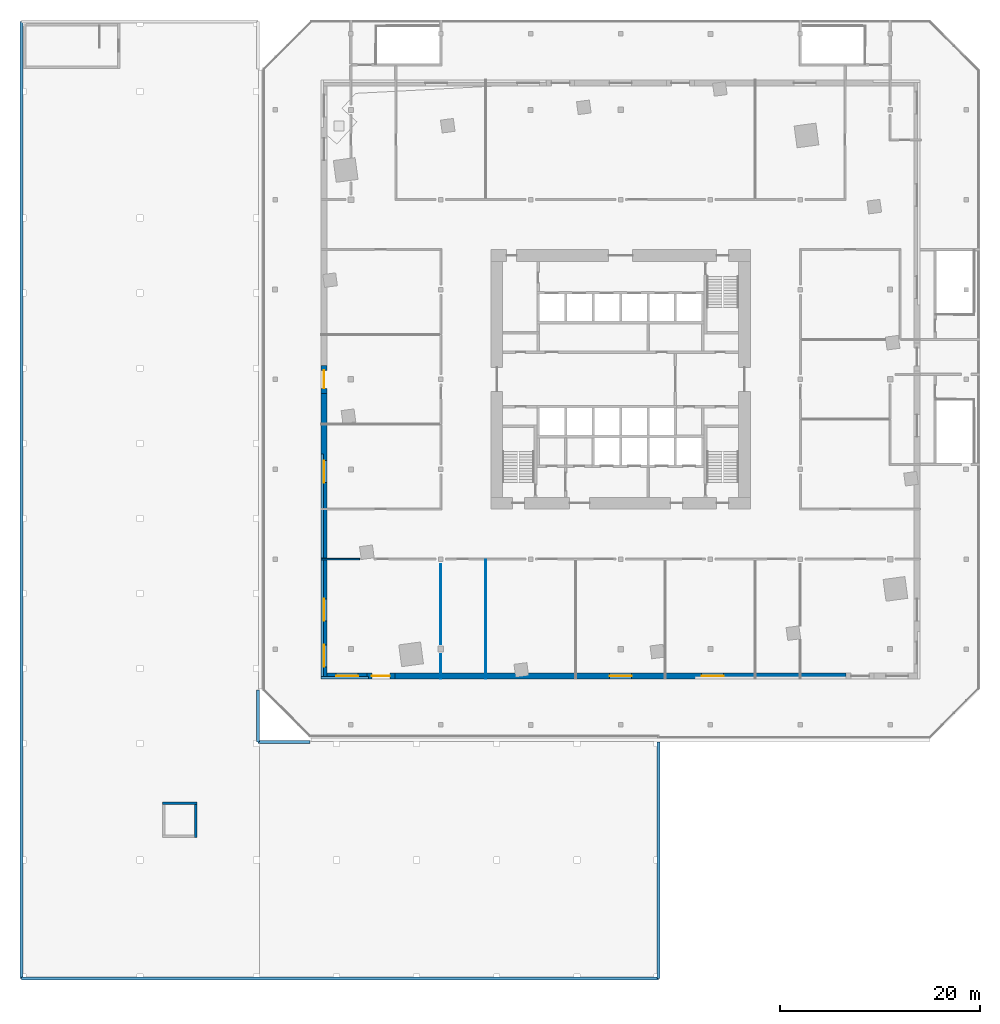
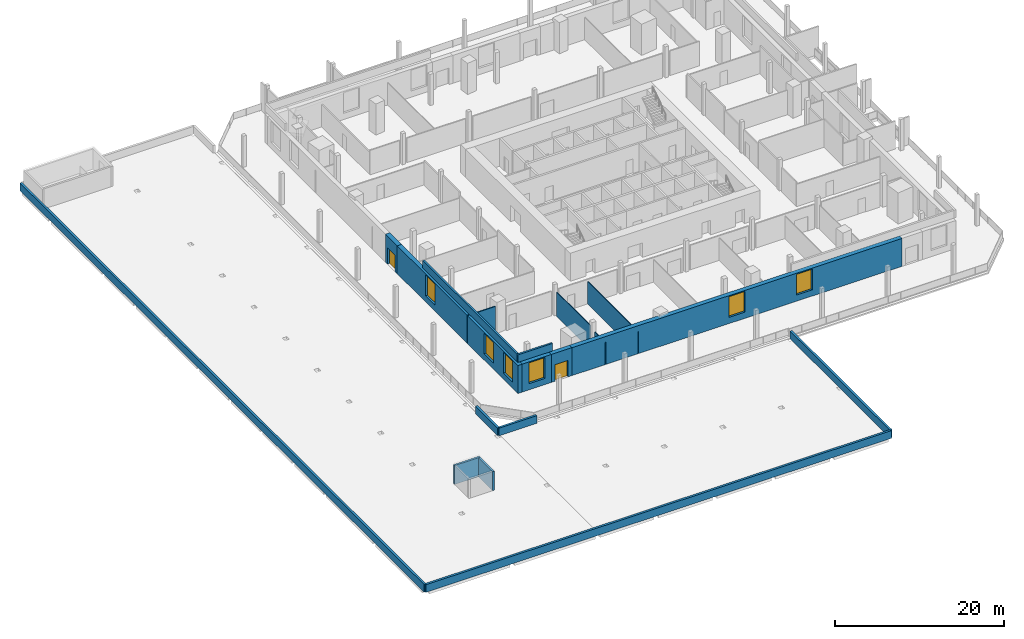
# One storey, part 2 of 12: 18 walls, 6 windows, 2 doors, 8 openings.
"""IFC4 building model written with IfcOpenShell, lengths in metres."""

from ifc_helpers import new_model, si_unit, direction, frame, frame_2d, origin, place, context, subcontext, project, spatial, rectangle, extrude, material, layer, layer_set, type_object, element, fill, save


model = new_model("IFC4")

# Units and contexts
model_context = context("Model", 3, precision=1e-05, world=origin(), true_north=direction((0.0, 1.0)))
body_context = subcontext(model_context, "Body", "Model", "MODEL_VIEW")
ifc_project = project(units=[si_unit("LENGTHUNIT", "METRE"), si_unit("AREAUNIT", "SQUARE_METRE"), si_unit("VOLUMEUNIT", "CUBIC_METRE"), si_unit("PLANEANGLEUNIT", "RADIAN"), si_unit("MASSUNIT", "GRAM", prefix="KILO")], contexts=[model_context])

# Site, building, storey
site_placement = place(None, origin())
site = spatial("IfcSite", under=ifc_project, at=site_placement, CompositionType="ELEMENT")
building_placement = place(site_placement, origin())
building = spatial("IfcBuilding", under=site, at=building_placement, Name="Dilmun Exchange Tower", CompositionType="ELEMENT")
storey_placement = place(building_placement, frame((0.0, 0.0, 18.0)))
storey = spatial("IfcBuildingStorey", under=building, at=storey_placement, Name="L04", CompositionType="ELEMENT", Elevation=18.0)

# Walls
ifc_material_1 = material(Name="Fire partition EI 60 150 gypsum")
ifc_layer_1 = layer(ifc_material_1, 0.14990234375)
ifc_layer_set_1 = layer_set([ifc_layer_1], Name="Fire partition EI 60 150 gypsum")
wall_type_1 = type_object("IfcWallType", Name="Fire partition EI 60 150 gypsum", PredefinedType="PARTITIONING", material=ifc_layer_set_1)
wall_1_placement = place(storey_placement, frame((-30.0, -18.0, 0.0), z_axis=(0.0, 0.0, 1.0), x_axis=(1.0, 0.0, 0.0)))
element("IfcWall", 1, at=wall_1_placement, inside=storey, type_object=wall_type_1, Name="L04 partition", PredefinedType="PARTITIONING", context=body_context, shape_type="SweptSolid", body=[
    extrude(rectangle(XDim=3.856689453125, YDim=0.14990234375, at=frame_2d((1.92822265625, 0.0))), origin(), (0.0, 0.0, 1.0), 4.050048828125),
])
ifc_material_2 = material(Name="Partition 100 gypsum")
ifc_layer_2 = layer(ifc_material_2, 0.10009765625)
ifc_layer_set_2 = layer_set([ifc_layer_2], Name="Partition 100 gypsum")
wall_type_2 = type_object("IfcWallType", Name="Partition 100 gypsum", PredefinedType="PARTITIONING", material=ifc_layer_set_2)
wall_2_placement = place(storey_placement, frame((-18.0, -30.0, 0.0), z_axis=(0.0, 0.0, 1.0), x_axis=(0.0, 1.0, 0.0)))
element("IfcWall", 2, at=wall_2_placement, inside=storey, type_object=wall_type_2, Name="L04 partition", PredefinedType="PARTITIONING", context=body_context, shape_type="SweptSolid", body=[
    extrude(rectangle(XDim=2.5, YDim=0.10009765625, at=frame_2d((1.25, 0.0))), origin(), (0.0, 0.0, 1.0), 3.22998046875),
])
wall_3_placement = place(storey_placement, frame((-18.0, -26.5, 0.0), z_axis=(0.0, 0.0, 1.0), x_axis=(0.0, 1.0, 0.0)))
element("IfcWall", 3, at=wall_3_placement, inside=storey, type_object=wall_type_2, Name="L04 partition", PredefinedType="PARTITIONING", context=body_context, shape_type="SweptSolid", body=[
    extrude(rectangle(XDim=8.0, YDim=0.10009765625, at=frame_2d((4.0, 0.0))), origin(), (0.0, 0.0, 1.0), 3.530029296875),
])
wall_4_placement = place(storey_placement, frame((-13.5, -30.0, 0.0), z_axis=(0.0, 0.0, 1.0), x_axis=(0.0, 1.0, 0.0)))
element("IfcWall", 4, at=wall_4_placement, inside=storey, type_object=wall_type_2, Name="L04 partition", PredefinedType="PARTITIONING", context=body_context, shape_type="SweptSolid", body=[
    extrude(rectangle(XDim=11.925048828125, YDim=0.10009765625, at=frame_2d((5.96240234375, 0.0))), origin(), (0.0, 0.0, 1.0), 3.22998046875),
])

# Wall, opening, door
ifc_material_3 = material(Name="Precast concrete C50/60", Category="concrete")
ifc_layer_3 = layer(ifc_material_3, 0.60009765625)
ifc_layer_set_3 = layer_set([ifc_layer_3], Name="Precast concrete C50/60")
wall_type_3 = type_object("IfcWallType", Name="Precast stone-clad wall 600", PredefinedType="STANDARD", material=ifc_layer_set_3)
wall_5_placement = place(storey_placement, frame((-29.699951171875, -1.39990234375, 0.0), z_axis=(0.0, 0.0, 1.0), x_axis=(0.0, 1.0, 0.0)))
wall_5 = element("IfcWall", 5, at=wall_5_placement, inside=storey, type_object=wall_type_3, Name="Facade wall L04-02-1", PredefinedType="STANDARD", context=body_context, shape_type="SweptSolid", body=[
    extrude(rectangle(XDim=2.7998046875, YDim=0.60009765625, at=frame_2d((1.39990234375, 0.0))), origin(), (0.0, 0.0, 1.0), 4.050048828125),
])
opening_1_placement = place(wall_5_placement, frame((0.5, 0.0, 0.0)))
opening_1 = element("IfcOpeningElement", 6, at=opening_1_placement, cuts=wall_5, Name="Opening TD1", PredefinedType="OPENING", context=body_context, shape_type="SweptSolid", body=[
    extrude(rectangle(XDim=1.800048828125, YDim=2.39990234375, at=frame_2d((0.89990234375, 1.199951171875))), frame((0.0, 0.31005859375, 0.0), z_axis=(0.0, -1.0, 0.0), x_axis=(1.0, 0.0, 0.0)), (0.0, 0.0, 1.0), 0.6201171875),
])
ifc_material_4 = material(Name="Clear low-emissivity glass in aluminium frame", Category="aluminium")
door_type = type_object("IfcDoorType", Name="Glazed terrace door pair 1800 x 2400", OperationType="DOUBLE_DOOR_SINGLE_SWING", PredefinedType="DOOR", material=ifc_material_4)
door_1_placement = place(opening_1_placement, origin())
door_1 = element("IfcDoor", 7, at=door_1_placement, inside=storey, type_object=door_type, Name="Door X-T6 terrace", OperationType="DOUBLE_DOOR_SINGLE_SWING", OverallHeight=2.39990234375, OverallWidth=1.800048828125, PredefinedType="DOOR", context=body_context, shape_type="SweptSolid", body=[
    extrude(rectangle(XDim=1.800048828125, YDim=2.39990234375, at=frame_2d((0.89990234375, 1.199951171875))), frame((0.0, 0.02490234375, 0.0), z_axis=(0.0, -1.0, 0.0), x_axis=(1.0, 0.0, 0.0)), (0.0, 0.0, 1.0), 0.050048828125),
])
fill(opening_1, door_1)

# Wall, openings, windows
wall_6_placement = place(storey_placement, frame((-29.699951171875, -1.39990234375, 0.0), z_axis=(0.0, 0.0, 1.0), x_axis=(0.0, -1.0, 0.0)))
wall_6 = element("IfcWall", 8, at=wall_6_placement, inside=storey, type_object=wall_type_3, Name="Facade wall L04-02-2", PredefinedType="STANDARD", context=body_context, shape_type="SweptSolid", body=[
    extrude(rectangle(XDim=28.60009765625, YDim=0.60009765625, at=frame_2d((14.300048828125, 0.0))), origin(), (0.0, 0.0, 1.0), 4.050048828125),
])
opening_2_placement = place(wall_6_placement, frame((6.730712890625, 0.0, 0.89990234375)))
opening_2 = element("IfcOpeningElement", 9, at=opening_2_placement, cuts=wall_6, Name="Opening W220-300", PredefinedType="OPENING", context=body_context, shape_type="SweptSolid", body=[
    extrude(rectangle(XDim=2.199951171875, YDim=3.0, at=frame_2d((1.10009765625, 1.5))), frame((0.0, 0.31005859375, 0.0), z_axis=(0.0, -1.0, 0.0), x_axis=(1.0, 0.0, 0.0)), (0.0, 0.0, 1.0), 0.6201171875),
])
opening_3_placement = place(wall_6_placement, frame((20.576904296875, 0.0, 0.89990234375)))
opening_3 = element("IfcOpeningElement", 10, at=opening_3_placement, cuts=wall_6, Name="Opening W220-300", PredefinedType="OPENING", context=body_context, shape_type="SweptSolid", body=[
    extrude(rectangle(XDim=2.199951171875, YDim=3.0, at=frame_2d((1.10009765625, 1.5))), frame((0.0, 0.31005859375, 0.0), z_axis=(0.0, -1.0, 0.0), x_axis=(1.0, 0.0, 0.0)), (0.0, 0.0, 1.0), 0.6201171875),
])
opening_4_placement = place(wall_6_placement, frame((25.1923828125, 0.0, 0.89990234375)))
opening_4 = element("IfcOpeningElement", 11, at=opening_4_placement, cuts=wall_6, Name="Opening W220-300", PredefinedType="OPENING", context=body_context, shape_type="SweptSolid", body=[
    extrude(rectangle(XDim=2.199951171875, YDim=3.0, at=frame_2d((1.10009765625, 1.5))), frame((0.0, 0.31005859375, 0.0), z_axis=(0.0, -1.0, 0.0), x_axis=(1.0, 0.0, 0.0)), (0.0, 0.0, 1.0), 0.6201171875),
])
window_type = type_object("IfcWindowType", Name="Punched window 2200 x 3000", PartitioningType="DOUBLE_PANEL_VERTICAL", PredefinedType="WINDOW", material=ifc_material_4)
window_1_placement = place(opening_2_placement, origin())
window_1 = element("IfcWindow", 12, at=window_1_placement, inside=storey, type_object=window_type, Name="Window 3.9", OverallHeight=3.0, OverallWidth=2.199951171875, PartitioningType="SINGLE_PANEL", PredefinedType="WINDOW", context=body_context, shape_type="SweptSolid", body=[
    extrude(rectangle(XDim=2.199951171875, YDim=3.0, at=frame_2d((1.10009765625, 1.5))), frame((0.0, 0.030029296875, 0.0), z_axis=(0.0, -1.0, 0.0), x_axis=(1.0, 0.0, 0.0)), (0.0, 0.0, 1.0), 0.06005859375),
])
fill(opening_2, window_1)
window_2_placement = place(opening_3_placement, origin())
window_2 = element("IfcWindow", 13, at=window_2_placement, inside=storey, type_object=window_type, Name="Window 3.12", OverallHeight=3.0, OverallWidth=2.199951171875, PartitioningType="SINGLE_PANEL", PredefinedType="WINDOW", context=body_context, shape_type="SweptSolid", body=[
    extrude(rectangle(XDim=2.199951171875, YDim=3.0, at=frame_2d((1.10009765625, 1.5))), frame((0.0, 0.030029296875, 0.0), z_axis=(0.0, -1.0, 0.0), x_axis=(1.0, 0.0, 0.0)), (0.0, 0.0, 1.0), 0.06005859375),
])
fill(opening_3, window_2)
window_3_placement = place(opening_4_placement, origin())
window_3 = element("IfcWindow", 14, at=window_3_placement, inside=storey, type_object=window_type, Name="Window 3.13", OverallHeight=3.0, OverallWidth=2.199951171875, PartitioningType="SINGLE_PANEL", PredefinedType="WINDOW", context=body_context, shape_type="SweptSolid", body=[
    extrude(rectangle(XDim=2.199951171875, YDim=3.0, at=frame_2d((1.10009765625, 1.5))), frame((0.0, 0.030029296875, 0.0), z_axis=(0.0, -1.0, 0.0), x_axis=(1.0, 0.0, 0.0)), (0.0, 0.0, 1.0), 0.06005859375),
])
fill(opening_4, window_3)

# Wall, opening, window
wall_7_placement = place(storey_placement, frame((-29.39990234375, -29.699951171875, 0.0), z_axis=(0.0, 0.0, 1.0), x_axis=(1.0, 0.0, 0.0)))
wall_7 = element("IfcWall", 15, at=wall_7_placement, inside=storey, type_object=wall_type_3, Name="Facade wall L04-03-0", PredefinedType="STANDARD", context=body_context, shape_type="SweptSolid", body=[
    extrude(rectangle(XDim=4.0, YDim=0.60009765625, at=frame_2d((2.0, 0.0))), origin(), (0.0, 0.0, 1.0), 4.050048828125),
])
opening_5_placement = place(wall_7_placement, frame((0.90771484375, 0.0, 0.89990234375)))
opening_5 = element("IfcOpeningElement", 16, at=opening_5_placement, cuts=wall_7, Name="Opening W220-300", PredefinedType="OPENING", context=body_context, shape_type="SweptSolid", body=[
    extrude(rectangle(XDim=2.199951171875, YDim=3.0, at=frame_2d((1.10009765625, 1.5))), frame((0.0, 0.31005859375, 0.0), z_axis=(0.0, -1.0, 0.0), x_axis=(1.0, 0.0, 0.0)), (0.0, 0.0, 1.0), 0.6201171875),
])
window_4_placement = place(opening_5_placement, origin())
window_4 = element("IfcWindow", 17, at=window_4_placement, inside=storey, type_object=window_type, Name="Window 4.1", OverallHeight=3.0, OverallWidth=2.199951171875, PartitioningType="SINGLE_PANEL", PredefinedType="WINDOW", context=body_context, shape_type="SweptSolid", body=[
    extrude(rectangle(XDim=2.199951171875, YDim=3.0, at=frame_2d((1.10009765625, 1.5))), frame((0.0, 0.030029296875, 0.0), z_axis=(0.0, -1.0, 0.0), x_axis=(1.0, 0.0, 0.0)), (0.0, 0.0, 1.0), 0.06005859375),
])
fill(opening_5, window_4)

# Wall, opening, door
wall_8_placement = place(storey_placement, frame((-22.60009765625, -29.699951171875, 0.0), z_axis=(0.0, 0.0, 1.0), x_axis=(-1.0, 0.0, 0.0)))
wall_8 = element("IfcWall", 18, at=wall_8_placement, inside=storey, type_object=wall_type_3, Name="Facade wall L04-03-1", PredefinedType="STANDARD", context=body_context, shape_type="SweptSolid", body=[
    extrude(rectangle(XDim=2.7998046875, YDim=0.60009765625, at=frame_2d((1.39990234375, 0.0))), origin(), (0.0, 0.0, 1.0), 4.050048828125),
])
opening_6_placement = place(wall_8_placement, frame((0.5, 0.0, 0.0)))
opening_6 = element("IfcOpeningElement", 19, at=opening_6_placement, cuts=wall_8, Name="Opening TD1", PredefinedType="OPENING", context=body_context, shape_type="SweptSolid", body=[
    extrude(rectangle(XDim=1.800048828125, YDim=2.39990234375, at=frame_2d((0.89990234375, 1.199951171875))), frame((0.0, 0.31005859375, 0.0), z_axis=(0.0, -1.0, 0.0), x_axis=(1.0, 0.0, 0.0)), (0.0, 0.0, 1.0), 0.6201171875),
])
door_2_placement = place(opening_6_placement, origin())
door_2 = element("IfcDoor", 20, at=door_2_placement, inside=storey, type_object=door_type, Name="Door X-T5 terrace", OperationType="DOUBLE_DOOR_SINGLE_SWING", OverallHeight=2.39990234375, OverallWidth=1.800048828125, PredefinedType="DOOR", context=body_context, shape_type="SweptSolid", body=[
    extrude(rectangle(XDim=1.800048828125, YDim=2.39990234375, at=frame_2d((0.89990234375, 1.199951171875))), frame((0.0, 0.02490234375, 0.0), z_axis=(0.0, -1.0, 0.0), x_axis=(1.0, 0.0, 0.0)), (0.0, 0.0, 1.0), 0.050048828125),
])
fill(opening_6, door_2)

# Wall, openings, windows
wall_9_placement = place(storey_placement, frame((-22.60009765625, -29.699951171875, 0.0), z_axis=(0.0, 0.0, 1.0), x_axis=(1.0, 0.0, 0.0)))
wall_9 = element("IfcWall", 21, at=wall_9_placement, inside=storey, type_object=wall_type_3, Name="Facade wall L04-03-2", PredefinedType="STANDARD", context=body_context, shape_type="SweptSolid", body=[
    extrude(rectangle(XDim=45.2001953125, YDim=0.60009765625, at=frame_2d((22.60009765625, 0.0))), origin(), (0.0, 0.0, 1.0), 4.050048828125),
])
opening_7_placement = place(wall_9_placement, frame((21.5, 0.0, 0.89990234375)))
opening_7 = element("IfcOpeningElement", 22, at=opening_7_placement, cuts=wall_9, Name="Opening W220-300", PredefinedType="OPENING", context=body_context, shape_type="SweptSolid", body=[
    extrude(rectangle(XDim=2.199951171875, YDim=3.0, at=frame_2d((1.10009765625, 1.5))), frame((0.0, 0.31005859375, 0.0), z_axis=(0.0, -1.0, 0.0), x_axis=(1.0, 0.0, 0.0)), (0.0, 0.0, 1.0), 0.6201171875),
])
opening_8_placement = place(wall_9_placement, frame((30.730712890625, 0.0, 0.89990234375)))
opening_8 = element("IfcOpeningElement", 23, at=opening_8_placement, cuts=wall_9, Name="Opening W220-300", PredefinedType="OPENING", context=body_context, shape_type="SweptSolid", body=[
    extrude(rectangle(XDim=2.199951171875, YDim=3.0, at=frame_2d((1.10009765625, 1.5))), frame((0.0, 0.31005859375, 0.0), z_axis=(0.0, -1.0, 0.0), x_axis=(1.0, 0.0, 0.0)), (0.0, 0.0, 1.0), 0.6201171875),
])
window_5_placement = place(opening_7_placement, origin())
window_5 = element("IfcWindow", 24, at=window_5_placement, inside=storey, type_object=window_type, Name="Window 4.7", OverallHeight=3.0, OverallWidth=2.199951171875, PartitioningType="SINGLE_PANEL", PredefinedType="WINDOW", context=body_context, shape_type="SweptSolid", body=[
    extrude(rectangle(XDim=2.199951171875, YDim=3.0, at=frame_2d((1.10009765625, 1.5))), frame((0.0, 0.030029296875, 0.0), z_axis=(0.0, -1.0, 0.0), x_axis=(1.0, 0.0, 0.0)), (0.0, 0.0, 1.0), 0.06005859375),
])
fill(opening_7, window_5)
window_6_placement = place(opening_8_placement, origin())
window_6 = element("IfcWindow", 25, at=window_6_placement, inside=storey, type_object=window_type, Name="Window 4.9", OverallHeight=3.0, OverallWidth=2.199951171875, PartitioningType="SINGLE_PANEL", PredefinedType="WINDOW", context=body_context, shape_type="SweptSolid", body=[
    extrude(rectangle(XDim=2.199951171875, YDim=3.0, at=frame_2d((1.10009765625, 1.5))), frame((0.0, 0.030029296875, 0.0), z_axis=(0.0, -1.0, 0.0), x_axis=(1.0, 0.0, 0.0)), (0.0, 0.0, 1.0), 0.06005859375),
])
fill(opening_8, window_6)

# Walls
ifc_material_5 = material(Name="Precast concrete C40/50", Category="concrete")
ifc_layer_4 = layer(ifc_material_5, 0.25)
ifc_layer_set_4 = layer_set([ifc_layer_4], Name="Precast concrete C40/50")
wall_type_4 = type_object("IfcWallType", Name="Roof parapet 250", PredefinedType="PARAPET", material=ifc_layer_set_4)
wall_10_placement = place(storey_placement, frame((-30.0, -29.875, 4.5), z_axis=(0.0, 0.0, 1.0), x_axis=(1.0, 0.0, 0.0)))
element("IfcWall", 26, at=wall_10_placement, inside=storey, type_object=wall_type_4, Name="Enclosure roof parapet 1", PredefinedType="PARAPET", context=body_context, shape_type="SweptSolid", body=[
    extrude(rectangle(XDim=4.77490234375, YDim=0.25, at=frame_2d((2.387451171875, 0.0))), origin(), (0.0, 0.0, 1.0), 1.10009765625),
])
wall_11_placement = place(storey_placement, frame((-29.875, -7.453125, 4.5), z_axis=(0.0, 0.0, 1.0), x_axis=(0.0, -1.0, 0.0)))
element("IfcWall", 27, at=wall_11_placement, inside=storey, type_object=wall_type_4, Name="Enclosure roof parapet 7", PredefinedType="PARAPET", context=body_context, shape_type="SweptSolid", body=[
    extrude(rectangle(XDim=22.546875, YDim=0.25, at=frame_2d((11.2734375, 0.0))), origin(), (0.0, 0.0, 1.0), 1.10009765625),
])
ifc_layer_5 = layer(ifc_material_5, 0.300048828125)
ifc_layer_set_5 = layer_set([ifc_layer_5], Name="Precast concrete C40/50")
wall_type_5 = type_object("IfcWallType", Name="School roof parapet 300 precast C40/50", PredefinedType="PARAPET", material=ifc_layer_set_5)
wall_12_placement = place(storey_placement, frame((-60.0, -60.0, 0.0), z_axis=(0.0, 0.0, 1.0), x_axis=(0.0, 1.0, 0.0)))
element("IfcWall", 28, at=wall_12_placement, inside=storey, type_object=wall_type_5, Name="School roof parapet", PredefinedType="PARAPET", context=body_context, shape_type="SweptSolid", body=[
    extrude(rectangle(XDim=95.85009765625, YDim=0.300048828125, at=frame_2d((47.925048828125, 0.0))), origin(), (0.0, 0.0, 1.0), 1.10009765625),
])
for number, where, z_axis, x_axis, name in (
    (29, (-36.300048828125, -31.10009765625, 0.0), (0.0, 0.0, 1.0), (0.0, -1.0, 0.0), "School roof parapet"),
    (30, (-36.300048828125, -36.300048828125, 0.0), (0.0, 0.0, 1.0), (1.0, 0.0, 0.0), "School roof parapet"),
):
    element("IfcWall", number, at=place(storey_placement, frame(where, z_axis=z_axis, x_axis=x_axis)), inside=storey, type_object=wall_type_5, Name=name, PredefinedType="PARAPET", context=body_context, shape_type="SweptSolid", body=[
        extrude(rectangle(XDim=5.199951171875, YDim=0.300048828125, at=frame_2d((2.60009765625, 0.0))), origin(), (0.0, 0.0, 1.0), 1.10009765625),
    ])
wall_13_placement = place(storey_placement, frame((3.782958984375, -36.300048828125, 0.0), z_axis=(0.0, 0.0, 1.0), x_axis=(0.0, -1.0, 0.0)))
element("IfcWall", 31, at=wall_13_placement, inside=storey, type_object=wall_type_5, Name="School roof parapet", PredefinedType="PARAPET", context=body_context, shape_type="SweptSolid", body=[
    extrude(rectangle(XDim=23.699951171875, YDim=0.300048828125, at=frame_2d((11.85009765625, 0.0))), origin(), (0.0, 0.0, 1.0), 1.10009765625),
])
wall_14_placement = place(storey_placement, frame((3.782958984375, -60.0, 0.0), z_axis=(0.0, 0.0, 1.0), x_axis=(-1.0, 0.0, 0.0)))
element("IfcWall", 32, at=wall_14_placement, inside=storey, type_object=wall_type_5, Name="School roof parapet", PredefinedType="PARAPET", context=body_context, shape_type="SweptSolid", body=[
    extrude(rectangle(XDim=63.782958984375, YDim=0.300048828125, at=frame_2d((31.8916015625, 0.0))), origin(), (0.0, 0.0, 1.0), 1.10009765625),
])
ifc_material_6 = material(Name="Concrete C40/50", Category="concrete")
ifc_layer_6 = layer(ifc_material_6, 0.25)
ifc_layer_set_6 = layer_set([ifc_layer_6], Name="Concrete C40/50")
wall_type_6 = type_object("IfcWallType", Name="School stair and lift wall 250 C40/50", PredefinedType="SHEAR", material=ifc_layer_set_6)
wall_15_placement = place(storey_placement, frame((-42.52490234375, -45.89990234375, 0.0), z_axis=(0.0, 0.0, 1.0), x_axis=(0.0, 1.0, 0.0)))
element("IfcWall", 33, at=wall_15_placement, inside=storey, type_object=wall_type_6, Name="School lift overrun wall", PredefinedType="SHEAR", context=body_context, shape_type="SweptSolid", body=[
    extrude(rectangle(XDim=3.599853515625, YDim=0.25, at=frame_2d((1.7998046875, 0.0))), origin(), (0.0, 0.0, 1.0), 2.75),
])
wall_16_placement = place(storey_placement, frame((-45.89990234375, -42.425048828125, 0.0), z_axis=(0.0, 0.0, 1.0), x_axis=(1.0, 0.0, 0.0)))
element("IfcWall", 34, at=wall_16_placement, inside=storey, type_object=wall_type_6, Name="School lift overrun wall", PredefinedType="SHEAR", context=body_context, shape_type="SweptSolid", body=[
    extrude(rectangle(XDim=3.5, YDim=0.25, at=frame_2d((1.75, 0.0))), origin(), (0.0, 0.0, 1.0), 2.75),
])

save(model, "model.ifc")
